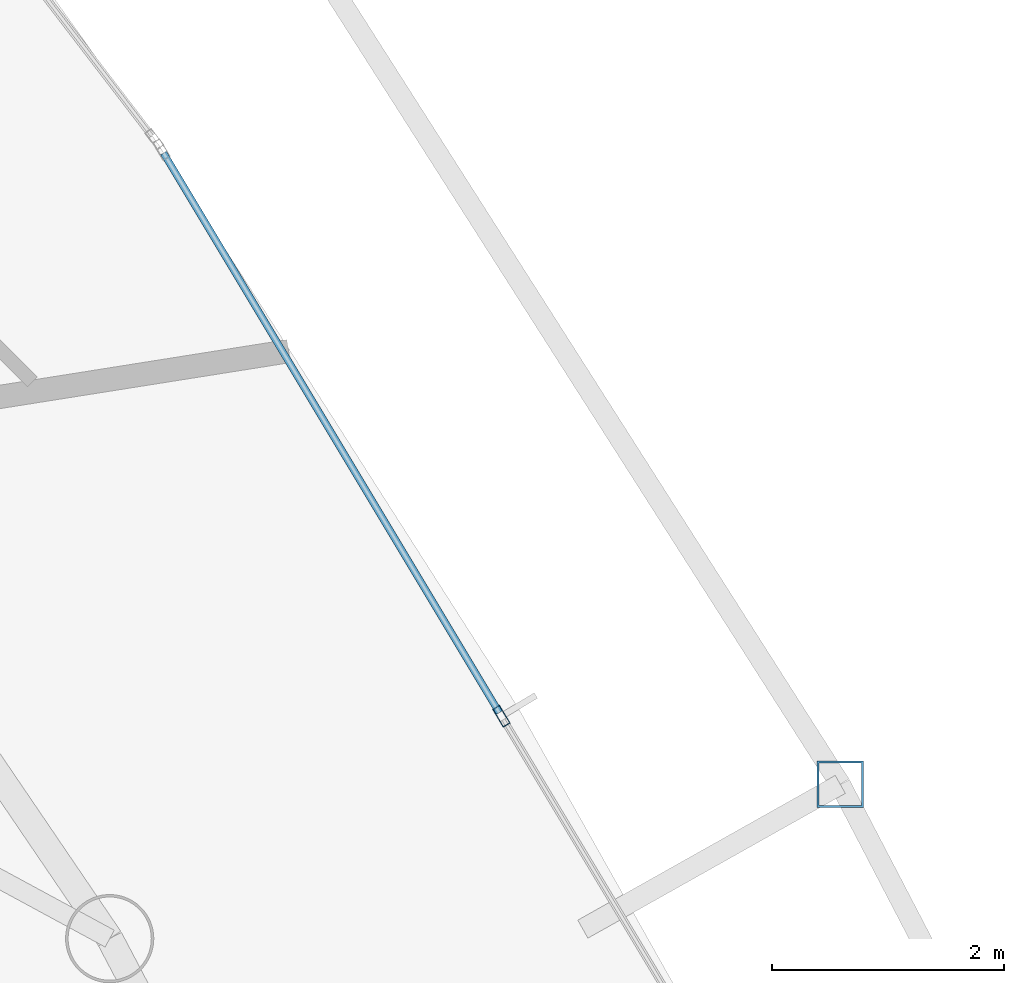
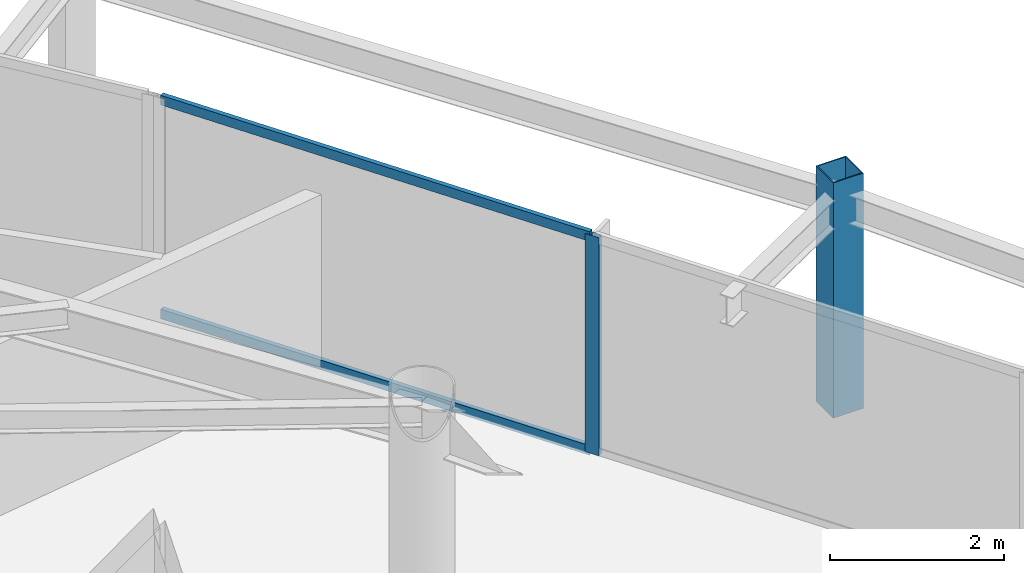
# One storey, part 18 of 33: 4 members, 1 element without a shape of its own.
"""IFC4 building model written with IfcOpenShell, lengths in metres."""

from ifc_helpers import new_model, si_unit, direction, frame, origin, origin_2d, place, context, subcontext, project, spatial, hollow_rectangle, extrude, material, layer, layer_set, material_profile, profile_set, type_object, element, aggregate, save


model = new_model("IFC4")

# Units and contexts
model_context = context("Model", 3, precision=1e-05, world=origin(), true_north=direction((0.0, 1.0)))
body_context = subcontext(model_context, "Body", "Model", "MODEL_VIEW")
ifc_project = project(units=[si_unit("LENGTHUNIT", "METRE"), si_unit("AREAUNIT", "SQUARE_METRE"), si_unit("VOLUMEUNIT", "CUBIC_METRE"), si_unit("PLANEANGLEUNIT", "RADIAN"), si_unit("MASSUNIT", "GRAM", prefix="KILO")], contexts=[model_context])

# Site, building, storey
site_placement = place(None, origin())
site = spatial("IfcSite", under=ifc_project, at=site_placement, CompositionType="ELEMENT")
building_placement = place(site_placement, origin())
building = spatial("IfcBuilding", under=site, at=building_placement, Name="Orvanel Arch Residences", CompositionType="ELEMENT")
storey_placement = place(building_placement, frame((0.0, 0.0, 116.60009765625)))
storey = spatial("IfcBuildingStorey", under=building, at=storey_placement, Name="L32", CompositionType="ELEMENT", Elevation=116.60009765625)

# Curtain wall, member
ifc_material_1 = material(Name="Bronze-anodised aluminium AA6063-T6", Category="aluminium")
ifc_layer = layer(ifc_material_1, 0.179931640625)
ifc_layer_set = layer_set([ifc_layer], Name="Bronze-anodised aluminium AA6063-T6")
curtain_wall_type = type_object("IfcCurtainWallType", Name="CW3-MID-SYS", PredefinedType="NOTDEFINED", material=ifc_layer_set)
curtain_wall_placement = place(storey_placement, origin())
curtain_wall = element("IfcCurtainWall", 1, at=curtain_wall_placement, inside=storey, type_object=curtain_wall_type, Name="L32 CW3-MID-SYS Unitised Curtain Wall", PredefinedType="NOTDEFINED")
ifc_material_profile_1 = material_profile(ifc_material_1, hollow_rectangle(XDim=0.070068359375, YDim=0.179931640625, WallThickness=0.00439453125, at=origin_2d()), Name="ALU180x70x4.5")
ifc_profile_set_1 = profile_set([ifc_material_profile_1], Name="Bronze-anodised aluminium AA6063-T6")
member_type_1 = type_object("IfcMemberType", Name="MUL-180x70", PredefinedType="MULLION", material=ifc_profile_set_1)
member_1_placement = place(storey_placement, frame((48.8134765625, 29.56201171875, 0.0), z_axis=(0.0, 0.0, 1.0), x_axis=(-0.857515978834, -0.514457331608, 0.0)))
member_1 = element("IfcMember", 2, at=member_1_placement, type_object=member_type_1, Name="CW-S3 mullion 2", PredefinedType="MULLION", context=body_context, shape_type="SweptSolid", body=[
    extrude(hollow_rectangle(XDim=0.070068359375, YDim=0.179931640625, WallThickness=0.00439453125, at=origin_2d()), origin(), (0.0, 0.0, 1.0), 3.059814453125),
])

# Member
ifc_material_2 = material(Name="Structural steel AS/NZS 1163 C450L0 (Grade 450)", Category="steel")
ifc_material_profile_2 = material_profile(ifc_material_2, hollow_rectangle(XDim=0.39990234375, YDim=0.39990234375, WallThickness=0.01611328125, at=origin_2d()), Name="SHS400x400x16")
ifc_profile_set_2 = profile_set([ifc_material_profile_2], Name="Structural steel AS/NZS 1163 C450L0 (Grade 450)")
member_type_2 = type_object("IfcMemberType", Name="ST-400SHS-EXT", PredefinedType="STRUT", material=ifc_profile_set_2)
member_2_placement = place(storey_placement, frame((51.739990234375, 28.972900390625, 0.0), z_axis=(0.0, 0.0, 1.0), x_axis=(1.0, 0.0, 0.0)))
element("IfcMember", 3, at=member_2_placement, inside=storey, type_object=member_type_2, Name="L32 Outer Perimeter Frame Post 10", PredefinedType="STRUT", context=body_context, shape_type="SweptSolid", body=[
    extrude(hollow_rectangle(XDim=0.39990234375, YDim=0.39990234375, WallThickness=0.01611328125, at=origin_2d()), origin(), (0.0, 0.0, 1.0), 3.2998046875),
])

ifc_material_profile_3 = material_profile(ifc_material_1, hollow_rectangle(XDim=0.06005859375, YDim=0.135009765625, WallThickness=0.00390625, at=origin_2d()), Name="ALU135x60x4")
ifc_profile_set_3 = profile_set([ifc_material_profile_3], Name="Bronze-anodised aluminium AA6063-T6")
member_type_3 = type_object("IfcMemberType", Name="TRN-135x60", PredefinedType="USERDEFINED", material=ifc_profile_set_3)
member_3_placement = place(storey_placement, frame((48.79541015625, 29.592041015625, 0.02978515625), z_axis=(-0.514444792144, 0.857523501623, 0.0), x_axis=(-0.857523501623, -0.514444792144, 0.0)))
member_3 = element("IfcMember", 4, at=member_3_placement, type_object=member_type_3, Name="CW-S3 transom 2.1", ObjectType="TRANSOM", PredefinedType="USERDEFINED", context=body_context, shape_type="SweptSolid", body=[
    extrude(hollow_rectangle(XDim=0.06005859375, YDim=0.135009765625, WallThickness=0.00390625, at=origin_2d()), origin(), (0.0, 0.0, 1.0), 5.635986328125),
])

member_4_placement = place(storey_placement, frame((48.79541015625, 29.592041015625, 3.02978515625), z_axis=(-0.514444792144, 0.857523501623, 0.0), x_axis=(-0.857523501623, -0.514444792144, 0.0)))
member_4 = element("IfcMember", 5, at=member_4_placement, type_object=member_type_3, Name="CW-S3 transom 2.2", ObjectType="TRANSOM", PredefinedType="USERDEFINED", context=body_context, shape_type="SweptSolid", body=[
    extrude(hollow_rectangle(XDim=0.06005859375, YDim=0.135009765625, WallThickness=0.00390625, at=origin_2d()), origin(), (0.0, 0.0, 1.0), 5.635986328125),
])

aggregate(curtain_wall, [member_1, member_3, member_4])

save(model, "model.ifc")
